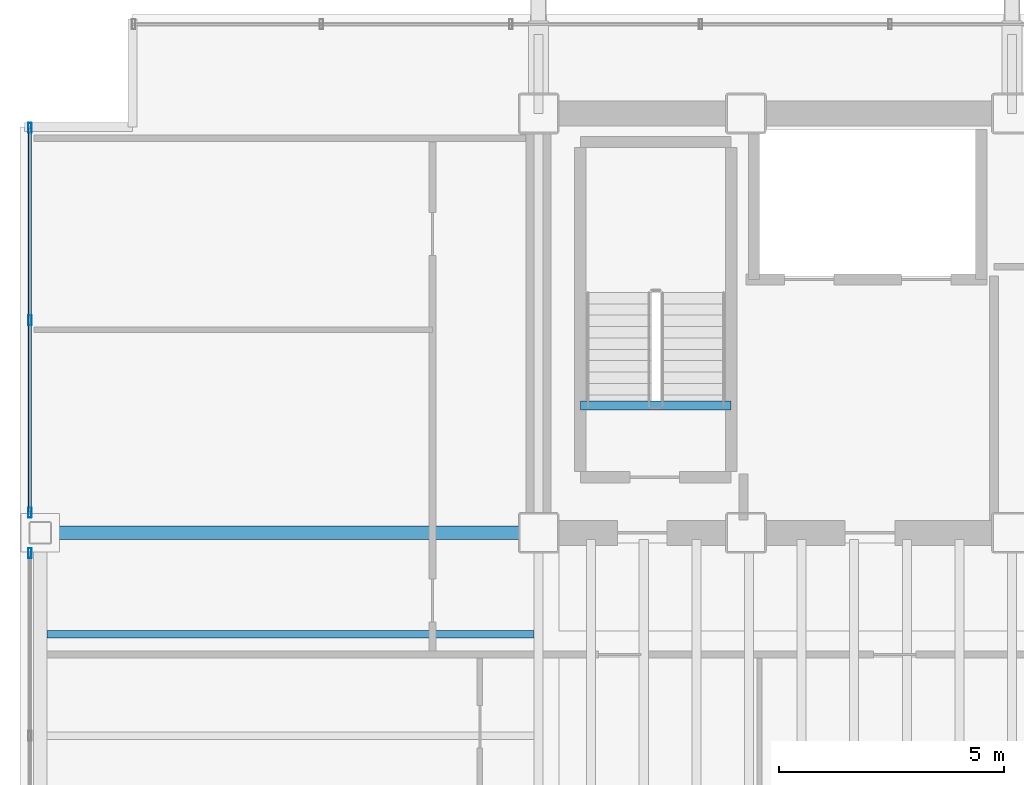
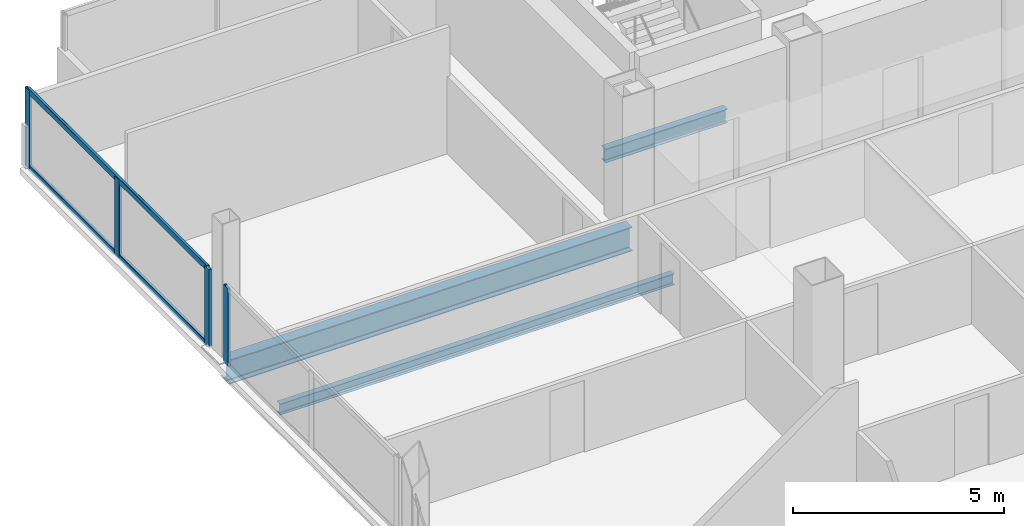
# One storey, part 8 of 22: 6 members, 3 beams, 2 elements without a shape of their own.
"""IFC4 building model written with IfcOpenShell, lengths in metres."""

from ifc_helpers import new_model, si_unit, direction, frame, origin, origin_2d, place, context, subcontext, project, spatial, hollow_rectangle, i_section, extrude, material, material_profile, profile_set, type_object, element, aggregate, save


model = new_model("IFC4")

# Units and contexts
model_context = context("Model", 3, precision=1e-05, world=origin(), true_north=direction((0.0, 1.0)))
body_context = subcontext(model_context, "Body", "Model", "MODEL_VIEW")
ifc_project = project(units=[si_unit("LENGTHUNIT", "METRE"), si_unit("AREAUNIT", "SQUARE_METRE"), si_unit("VOLUMEUNIT", "CUBIC_METRE"), si_unit("PLANEANGLEUNIT", "RADIAN"), si_unit("MASSUNIT", "GRAM", prefix="KILO")], contexts=[model_context])

# Site, building, storey
site_placement = place(None, origin())
site = spatial("IfcSite", under=ifc_project, at=site_placement, CompositionType="ELEMENT")
building_placement = place(site_placement, origin())
building = spatial("IfcBuilding", under=site, at=building_placement, Name="Noeulbin Bourse Tower", CompositionType="ELEMENT")
storey_placement = place(building_placement, frame((0.0, 0.0, 138.300048828125)))
storey = spatial("IfcBuildingStorey", under=building, at=storey_placement, Name="L34", CompositionType="ELEMENT", Elevation=138.300048828125)

# Beams
ifc_material_1 = material(Name="Steel S355", Category="steel")
ifc_material_profile_1 = material_profile(ifc_material_1, i_section(OverallWidth=0.300048828125, OverallDepth=0.699951171875, WebThickness=0.012939453125, FlangeThickness=0.02392578125, FilletRadius=0.02392578125, at=origin_2d()), Name="H-700x300x13x24", Category="LoadBearing")
ifc_profile_set_1 = profile_set([ifc_material_profile_1], Name="Steel S355")
beam_type_1 = type_object("IfcBeamType", Name="BM-GRD-700", PredefinedType="USERDEFINED", material=ifc_profile_set_1)
beam_1_placement = place(storey_placement, frame((2.449951171875, 29.0, -0.530029296875), z_axis=(1.0, 0.0, 0.0), x_axis=(0.0, 1.0, 0.0)))
element("IfcBeam", 1, at=beam_1_placement, inside=storey, type_object=beam_type_1, Name="Tower Primary Girder EW L34-2.1", ObjectType="GIRDER", PredefinedType="USERDEFINED", context=body_context, shape_type="SweptSolid", body=[
    extrude(i_section(OverallWidth=0.300048828125, OverallDepth=0.699951171875, WebThickness=0.012939453125, FlangeThickness=0.02392578125, FilletRadius=0.02392578125, at=origin_2d()), origin(), (0.0, 0.0, 1.0), 11.050048828125),
])
ifc_material_profile_2 = material_profile(ifc_material_1, i_section(OverallWidth=0.159912109375, OverallDepth=0.320068359375, WebThickness=0.006591796875, FlangeThickness=0.010009765625, FilletRadius=0.012939453125, at=origin_2d()), Name="H-320x160x6.5x10", Category="LoadBearing")
ifc_profile_set_2 = profile_set([ifc_material_profile_2], Name="Steel S355")
beam_type_2 = type_object("IfcBeamType", Name="BM-JST-320", PredefinedType="JOIST", material=ifc_profile_set_2)
beam_2_placement = place(storey_placement, frame((2.60009765625, 26.75, -0.340087890625), z_axis=(1.0, 0.0, 0.0), x_axis=(0.0, 1.0, 0.0)))
element("IfcBeam", 2, at=beam_2_placement, inside=storey, type_object=beam_type_2, Name="Wing Composite Joist L34-W49", PredefinedType="JOIST", context=body_context, shape_type="SweptSolid", body=[
    extrude(i_section(OverallWidth=0.159912109375, OverallDepth=0.320068359375, WebThickness=0.006591796875, FlangeThickness=0.010009765625, FilletRadius=0.012939453125, at=origin_2d()), origin(), (0.0, 0.0, 1.0), 10.7998046875),
])
ifc_material_profile_3 = material_profile(ifc_material_1, i_section(OverallWidth=0.199951171875, OverallDepth=0.39990234375, WebThickness=0.008056640625, FlangeThickness=0.012939453125, FilletRadius=0.01611328125, at=origin_2d()), Name="H-400x200x8x13", Category="LoadBearing")
ifc_profile_set_3 = profile_set([ifc_material_profile_3], Name="Steel S355")
beam_type_3 = type_object("IfcBeamType", Name="BM-SEC-400", PredefinedType="BEAM", material=ifc_profile_set_3)
beam_3_placement = place(storey_placement, frame((14.429931640625, 31.820068359375, -0.199951171875), z_axis=(1.0, 0.0, 0.0), x_axis=(0.0, 1.0, 0.0)))
element("IfcBeam", 3, at=beam_3_placement, inside=storey, type_object=beam_type_3, Name="Stair Threshold Trimmer Beam ST1-L34", PredefinedType="BEAM", context=body_context, shape_type="SweptSolid", body=[
    extrude(i_section(OverallWidth=0.199951171875, OverallDepth=0.39990234375, WebThickness=0.008056640625, FlangeThickness=0.012939453125, FilletRadius=0.01611328125, at=origin_2d()), origin(), (0.0, 0.0, 1.0), 3.340087890625),
])

# Curtain wall, member
ifc_material_2 = material(Name="Dark Tinted Triple Glazing", Category="glass")
curtain_wall_type = type_object("IfcCurtainWallType", Name="CW-SYS-3", PredefinedType="NOTDEFINED", material=ifc_material_2)
curtain_wall_1_placement = place(storey_placement, origin())
curtain_wall_1 = element("IfcCurtainWall", 4, at=curtain_wall_1_placement, inside=storey, type_object=curtain_wall_type, Name="Unitised Curtain Wall CW-L34-W-S2", PredefinedType="NOTDEFINED")
ifc_material_3 = material(Name="Anodised Aluminium 6063-T6", Category="aluminium")
ifc_material_profile_4 = material_profile(ifc_material_3, hollow_rectangle(XDim=0.074951171875, YDim=0.219970703125, WallThickness=0.0048828125, InnerFilletRadius=0.00244140625, OuterFilletRadius=0.0048828125, at=origin_2d()), Name="ALU-MULL-75x220x5", Category="LoadBearing")
ifc_profile_set_4 = profile_set([ifc_material_profile_4], Name="Anodised Aluminium 6063-T6")
member_type_1 = type_object("IfcMemberType", Name="CW-SYS-3-MUL", PredefinedType="MULLION", material=ifc_profile_set_4)
member_1_placement = place(storey_placement, frame((2.219970703125, 28.550048828125, -0.02001953125), z_axis=(0.0, 0.0, 1.0), x_axis=(1.0, 0.0, 0.0)))
member_1 = element("IfcMember", 5, at=member_1_placement, type_object=member_type_1, Name="Curtain Wall Mullion CW-L34-W-S2-M02", PredefinedType="MULLION", context=body_context, shape_type="SweptSolid", body=[
    extrude(hollow_rectangle(XDim=0.074951171875, YDim=0.219970703125, WallThickness=0.0048828125, InnerFilletRadius=0.00244140625, OuterFilletRadius=0.0048828125, at=origin_2d()), origin(), (0.0, 0.0, 1.0), 2.260009765625),
])
aggregate(curtain_wall_1, [member_1])

# Curtain wall, members
curtain_wall_2_placement = place(storey_placement, origin())
curtain_wall_2 = element("IfcCurtainWall", 6, at=curtain_wall_2_placement, inside=storey, type_object=curtain_wall_type, Name="Unitised Curtain Wall CW-L34-W-S3", PredefinedType="NOTDEFINED")
member_2_placement = place(storey_placement, frame((2.219970703125, 29.449951171875, -0.02001953125), z_axis=(0.0, 0.0, 1.0), x_axis=(1.0, 0.0, 0.0)))
member_2 = element("IfcMember", 7, at=member_2_placement, type_object=member_type_1, Name="Curtain Wall Mullion CW-L34-W-S3-M00", PredefinedType="MULLION", context=body_context, shape_type="SweptSolid", body=[
    extrude(hollow_rectangle(XDim=0.074951171875, YDim=0.219970703125, WallThickness=0.0048828125, InnerFilletRadius=0.00244140625, OuterFilletRadius=0.0048828125, at=origin_2d()), origin(), (0.0, 0.0, 1.0), 2.260009765625),
])
member_3_placement = place(storey_placement, frame((2.219970703125, 33.715087890625, -0.02001953125), z_axis=(0.0, 0.0, 1.0), x_axis=(1.0, 0.0, 0.0)))
member_3 = element("IfcMember", 8, at=member_3_placement, type_object=member_type_1, Name="Curtain Wall Mullion CW-L34-W-S3-M01", PredefinedType="MULLION", context=body_context, shape_type="SweptSolid", body=[
    extrude(hollow_rectangle(XDim=0.074951171875, YDim=0.219970703125, WallThickness=0.0048828125, InnerFilletRadius=0.00244140625, OuterFilletRadius=0.0048828125, at=origin_2d()), origin(), (0.0, 0.0, 1.0), 2.260009765625),
])
member_4_placement = place(storey_placement, frame((2.219970703125, 37.97998046875, -0.02001953125), z_axis=(0.0, 0.0, 1.0), x_axis=(1.0, 0.0, 0.0)))
member_4 = element("IfcMember", 9, at=member_4_placement, type_object=member_type_1, Name="Curtain Wall Mullion CW-L34-W-S3-M02", PredefinedType="MULLION", context=body_context, shape_type="SweptSolid", body=[
    extrude(hollow_rectangle(XDim=0.074951171875, YDim=0.219970703125, WallThickness=0.0048828125, InnerFilletRadius=0.00244140625, OuterFilletRadius=0.0048828125, at=origin_2d()), origin(), (0.0, 0.0, 1.0), 2.260009765625),
])
ifc_material_profile_5 = material_profile(ifc_material_3, hollow_rectangle(XDim=0.074951171875, YDim=0.159912109375, WallThickness=0.0048828125, InnerFilletRadius=0.00244140625, OuterFilletRadius=0.0048828125, at=origin_2d()), Name="ALU-TRAN-75x160x5", Category="LoadBearing")
ifc_profile_set_5 = profile_set([ifc_material_profile_5], Name="Anodised Aluminium 6063-T6")
member_type_2 = type_object("IfcMemberType", Name="CW-SYS-3-TRN", PredefinedType="USERDEFINED", material=ifc_profile_set_5)
member_5_placement = place(storey_placement, frame((2.219970703125, 29.4599609375, 0.010009765625), z_axis=(0.0, 1.0, 0.0), x_axis=(-1.0, 0.0, 0.0)))
member_5 = element("IfcMember", 10, at=member_5_placement, type_object=member_type_2, Name="Curtain Wall Transom CW-L34-W-S3-T00", ObjectType="TRANSOM", PredefinedType="USERDEFINED", context=body_context, shape_type="SweptSolid", body=[
    extrude(hollow_rectangle(XDim=0.074951171875, YDim=0.159912109375, WallThickness=0.0048828125, InnerFilletRadius=0.00244140625, OuterFilletRadius=0.0048828125, at=origin_2d()), origin(), (0.0, 0.0, 1.0), 8.510009765625),
])
member_6_placement = place(storey_placement, frame((2.219970703125, 29.4599609375, 2.2099609375), z_axis=(0.0, 1.0, 0.0), x_axis=(-1.0, 0.0, 0.0)))
member_6 = element("IfcMember", 11, at=member_6_placement, type_object=member_type_2, Name="Curtain Wall Transom CW-L34-W-S3-T01", ObjectType="TRANSOM", PredefinedType="USERDEFINED", context=body_context, shape_type="SweptSolid", body=[
    extrude(hollow_rectangle(XDim=0.074951171875, YDim=0.159912109375, WallThickness=0.0048828125, InnerFilletRadius=0.00244140625, OuterFilletRadius=0.0048828125, at=origin_2d()), origin(), (0.0, 0.0, 1.0), 8.510009765625),
])
aggregate(curtain_wall_2, [member_2, member_3, member_4, member_5, member_6])

save(model, "model.ifc")
